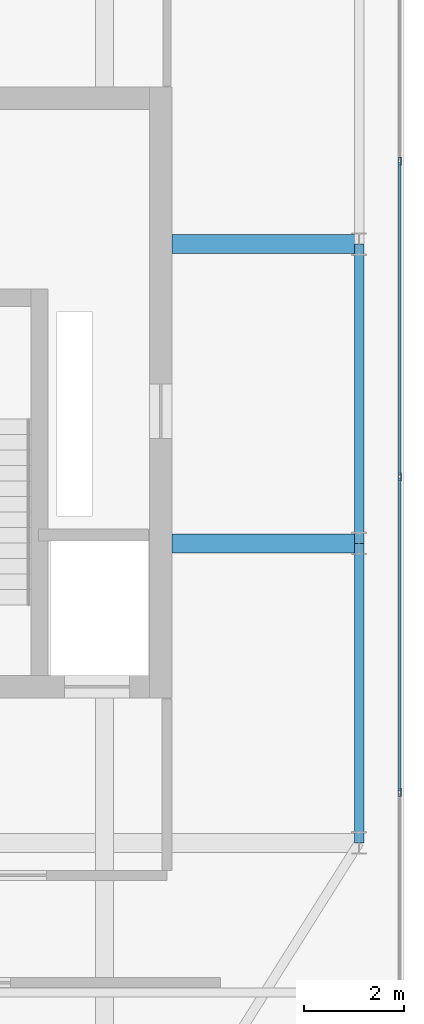
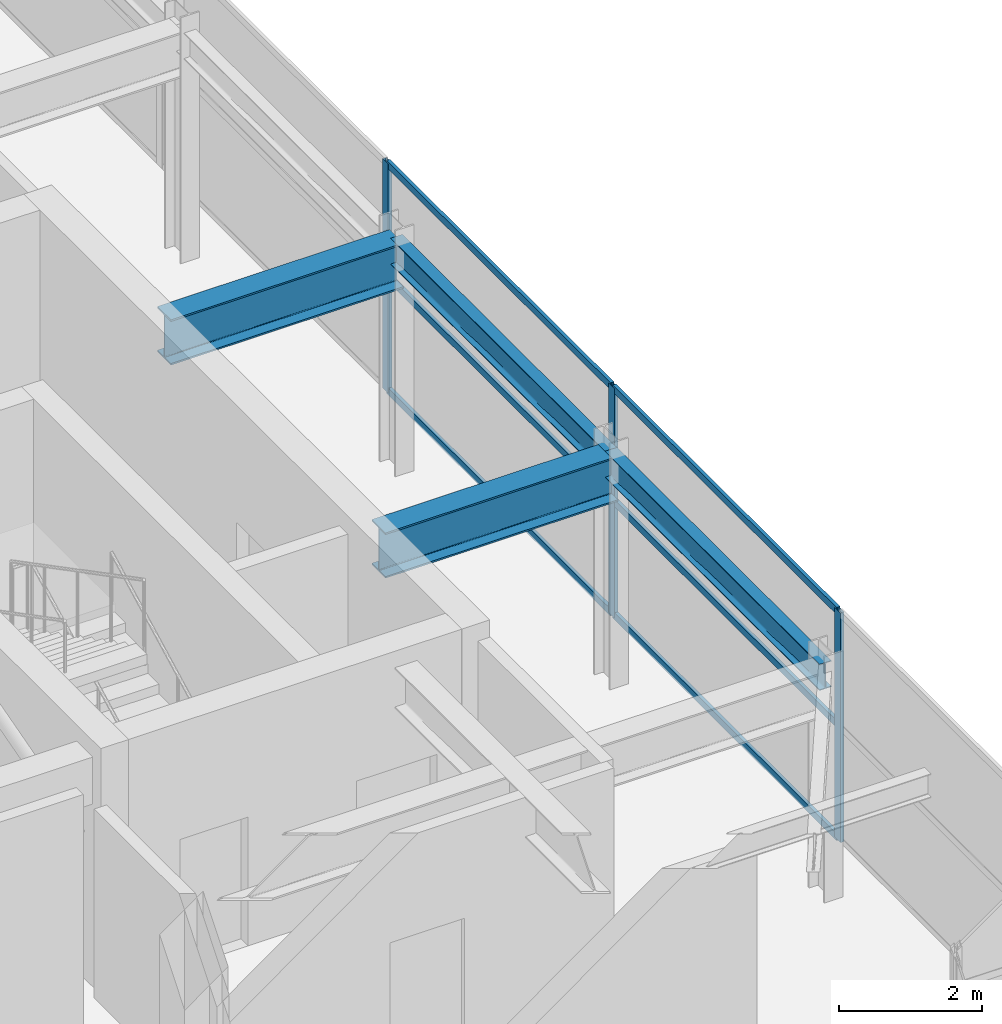
# One storey, part 17 of 32: 9 members, 4 beams, 1 element without a shape of its own.
"""IFC4 building model written with IfcOpenShell, lengths in metres."""

from ifc_helpers import new_model, si_unit, direction, frame, origin, origin_2d, place, context, subcontext, project, spatial, hollow_rectangle, i_section, extrude, source, transform, mapped, material, layer, layer_set, material_profile, profile_set, type_object, element, aggregate, save


model = new_model("IFC4")

# Units and contexts
model_context = context("Model", 3, precision=1e-05, world=origin(), true_north=direction((0.0, 1.0)))
body_context = subcontext(model_context, "Body", "Model", "MODEL_VIEW")
ifc_project = project(units=[si_unit("LENGTHUNIT", "METRE"), si_unit("AREAUNIT", "SQUARE_METRE"), si_unit("VOLUMEUNIT", "CUBIC_METRE"), si_unit("PLANEANGLEUNIT", "RADIAN"), si_unit("MASSUNIT", "GRAM", prefix="KILO")], contexts=[model_context])

# Site, building, storey
site_placement = place(None, origin())
site = spatial("IfcSite", under=ifc_project, at=site_placement, CompositionType="ELEMENT")
building_placement = place(site_placement, origin())
building = spatial("IfcBuilding", under=site, at=building_placement, Name="Khoralis Quay Care Tower", CompositionType="ELEMENT")
storey_placement = place(building_placement, frame((0.0, 0.0, 306.300048828125)))
storey = spatial("IfcBuildingStorey", under=building, at=storey_placement, Name="L80", CompositionType="ELEMENT", Elevation=306.300048828125)

# Beams
ifc_material_1 = material(Name="Steel S355", Category="steel")
ifc_material_profile_1 = material_profile(ifc_material_1, i_section(OverallWidth=0.18994140625, OverallDepth=0.449951171875, WebThickness=0.009521484375, FlangeThickness=0.0146484375, FilletRadius=0.02099609375, at=origin_2d()), Name="Steel S355")
ifc_profile_set_1 = profile_set([ifc_material_profile_1], Name="Steel S355")
beam_type_1 = type_object("IfcBeamType", Name="BM-IPE450", PredefinedType="SPANDREL", material=ifc_profile_set_1)
shared_shape_1 = source(origin(), body_context, "Body", "SweptSolid", [
    extrude(i_section(OverallWidth=0.18994140625, OverallDepth=0.449951171875, WebThickness=0.009521484375, FlangeThickness=0.0146484375, FilletRadius=0.02099609375, at=origin_2d()), origin(), (0.0, 0.0, 1.0), 6.0),
])
for number, where, z_axis, x_axis, name in (
    (1, (41.10009765625, 12.0, 3.695068359375), (0.0, 1.0, 0.0), (-1.0, 0.0, 0.0), "BM-TSP-L80-13"),
    (2, (41.10009765625, 18.0, 3.695068359375), (0.0, 1.0, 0.0), (-1.0, 0.0, 0.0), "BM-TSP-L80-14"),
):
    element("IfcBeam", number, at=place(storey_placement, frame(where, z_axis=z_axis, x_axis=x_axis)), inside=storey, type_object=beam_type_1, Name=name, PredefinedType="SPANDREL", context=body_context, shape_type="MappedRepresentation", body=[
        mapped(shared_shape_1, transform((0.0, 0.0, 0.0), scale=1.0)),
    ])
ifc_material_profile_2 = material_profile(ifc_material_1, i_section(OverallWidth=0.381103515625, OverallDepth=0.77294921875, WebThickness=0.0166015625, FlangeThickness=0.027587890625, FilletRadius=0.02197265625, at=origin_2d()), Name="Steel S355")
ifc_profile_set_2 = profile_set([ifc_material_profile_2], Name="Steel S355")
beam_type_2 = type_object("IfcBeamType", Name="BM-W760X257", PredefinedType="BEAM", material=ifc_profile_set_2)
shared_shape_2 = source(origin(), body_context, "Body", "SweptSolid", [
    extrude(i_section(OverallWidth=0.381103515625, OverallDepth=0.77294921875, WebThickness=0.0166015625, FlangeThickness=0.027587890625, FilletRadius=0.02197265625, at=origin_2d()), origin(), (0.0, 0.0, 1.0), 3.752197265625),
])
for number, where, z_axis, x_axis, name in (
    (3, (37.347900390625, 18.0, 3.533447265625), (1.0, 0.0, 0.0), (0.0, 1.0, 0.0), "BM-TGXE-L80-180"),
    (4, (37.347900390625, 24.0, 3.533447265625), (1.0, 0.0, 0.0), (0.0, 1.0, 0.0), "BM-TGXE-L80-240"),
):
    element("IfcBeam", number, at=place(storey_placement, frame(where, z_axis=z_axis, x_axis=x_axis)), inside=storey, type_object=beam_type_2, Name=name, PredefinedType="BEAM", context=body_context, shape_type="MappedRepresentation", body=[
        mapped(shared_shape_2, transform((0.0, 0.0, 0.0), scale=1.0)),
    ])

# Curtain wall, members
ifc_material_2 = material(Name="Pale anodised aluminium", Category="aluminium")
ifc_layer = layer(ifc_material_2, 0.199951171875)
ifc_layer_set = layer_set([ifc_layer], Name="Pale anodised aluminium")
curtain_wall_type = type_object("IfcCurtainWallType", Name="CW-SYS-LANTERN", PredefinedType="NOTDEFINED", material=ifc_layer_set)
curtain_wall_placement = place(storey_placement, origin())
curtain_wall = element("IfcCurtainWall", 5, at=curtain_wall_placement, inside=storey, type_object=curtain_wall_type, Name="L80 Unitised Curtain Wall CW-LN-L80-06", PredefinedType="NOTDEFINED")
ifc_material_profile_3 = material_profile(ifc_material_2, hollow_rectangle(XDim=0.054931640625, YDim=0.1201171875, WallThickness=0.00390625, at=origin_2d()), Name="Pale anodised aluminium")
ifc_profile_set_3 = profile_set([ifc_material_profile_3], Name="Pale anodised aluminium")
member_type_1 = type_object("IfcMemberType", Name="CW-TRN-120", PredefinedType="USERDEFINED", material=ifc_profile_set_3)
shared_shape_3 = source(origin(), body_context, "Body", "SweptSolid", [
    extrude(hollow_rectangle(XDim=0.054931640625, YDim=0.1201171875, WallThickness=0.00390625, at=origin_2d()), origin(), (0.0, 0.0, 1.0), 6.26416015625),
])
member_1_placement = place(storey_placement, frame((41.909912109375, 13.0439453125, 0.030029296875), z_axis=(0.0, 1.0, 0.0), x_axis=(-1.0, 0.0, 0.0)))
member_1 = element("IfcMember", 6, at=member_1_placement, type_object=member_type_1, Name="CW5 transom 2.1", ObjectType="TRANSOM", PredefinedType="USERDEFINED", context=body_context, shape_type="MappedRepresentation", body=[
    mapped(shared_shape_3, transform((0.0, 0.0, 0.0), scale=1.0)),
])
member_2_placement = place(storey_placement, frame((41.909912109375, 13.0439453125, 1.9599609375), z_axis=(0.0, 1.0, 0.0), x_axis=(-1.0, 0.0, 0.0)))
member_2 = element("IfcMember", 7, at=member_2_placement, type_object=member_type_1, Name="CW5 transom 2.2", ObjectType="TRANSOM", PredefinedType="USERDEFINED", context=body_context, shape_type="MappedRepresentation", body=[
    mapped(shared_shape_3, transform((0.0, 0.0, 0.0), scale=1.0)),
])
member_3_placement = place(storey_placement, frame((41.909912109375, 13.0439453125, 3.889892578125), z_axis=(0.0, 1.0, 0.0), x_axis=(-1.0, 0.0, 0.0)))
member_3 = element("IfcMember", 8, at=member_3_placement, type_object=member_type_1, Name="CW5 transom 2.3", ObjectType="TRANSOM", PredefinedType="USERDEFINED", context=body_context, shape_type="MappedRepresentation", body=[
    mapped(shared_shape_3, transform((0.0, 0.0, 0.0), scale=1.0)),
])
member_4_placement = place(storey_placement, frame((41.909912109375, 19.367919921875, 0.030029296875), z_axis=(0.0, 1.0, 0.0), x_axis=(-1.0, 0.0, 0.0)))
member_4 = element("IfcMember", 9, at=member_4_placement, type_object=member_type_1, Name="CW5 transom 3.1", ObjectType="TRANSOM", PredefinedType="USERDEFINED", context=body_context, shape_type="MappedRepresentation", body=[
    mapped(shared_shape_3, transform((0.0, 0.0, 0.0), scale=1.0)),
])
member_5_placement = place(storey_placement, frame((41.909912109375, 19.367919921875, 1.9599609375), z_axis=(0.0, 1.0, 0.0), x_axis=(-1.0, 0.0, 0.0)))
member_5 = element("IfcMember", 10, at=member_5_placement, type_object=member_type_1, Name="CW5 transom 3.2", ObjectType="TRANSOM", PredefinedType="USERDEFINED", context=body_context, shape_type="MappedRepresentation", body=[
    mapped(shared_shape_3, transform((0.0, 0.0, 0.0), scale=1.0)),
])
member_6_placement = place(storey_placement, frame((41.909912109375, 19.367919921875, 3.889892578125), z_axis=(0.0, 1.0, 0.0), x_axis=(-1.0, 0.0, 0.0)))
member_6 = element("IfcMember", 11, at=member_6_placement, type_object=member_type_1, Name="CW5 transom 3.3", ObjectType="TRANSOM", PredefinedType="USERDEFINED", context=body_context, shape_type="MappedRepresentation", body=[
    mapped(shared_shape_3, transform((0.0, 0.0, 0.0), scale=1.0)),
])
ifc_material_profile_4 = material_profile(ifc_material_2, hollow_rectangle(XDim=0.06005859375, YDim=0.159912109375, WallThickness=0.00390625, at=origin_2d()), Name="Pale anodised aluminium")
ifc_profile_set_4 = profile_set([ifc_material_profile_4], Name="Pale anodised aluminium")
member_type_2 = type_object("IfcMemberType", Name="CW-MUL-160", PredefinedType="MULLION", material=ifc_profile_set_4)
shared_shape_4 = source(origin(), body_context, "Body", "SweptSolid", [
    extrude(hollow_rectangle(XDim=0.06005859375, YDim=0.159912109375, WallThickness=0.00390625, at=origin_2d()), origin(), (0.0, 0.0, 1.0), 3.919921875),
])
member_7_placement = place(storey_placement, frame((41.909912109375, 13.013916015625, 0.0), z_axis=(0.0, 0.0, 1.0), x_axis=(-1.0, 0.0, 0.0)))
member_7 = element("IfcMember", 12, at=member_7_placement, type_object=member_type_2, Name="CW5 mullion 2", PredefinedType="MULLION", context=body_context, shape_type="MappedRepresentation", body=[
    mapped(shared_shape_4, transform((0.0, 0.0, 0.0), scale=1.0)),
])
member_8_placement = place(storey_placement, frame((41.909912109375, 19.337890625, 0.0), z_axis=(0.0, 0.0, 1.0), x_axis=(-1.0, 0.0, 0.0)))
member_8 = element("IfcMember", 13, at=member_8_placement, type_object=member_type_2, Name="CW5 mullion 3", PredefinedType="MULLION", context=body_context, shape_type="MappedRepresentation", body=[
    mapped(shared_shape_4, transform((0.0, 0.0, 0.0), scale=1.0)),
])
member_9_placement = place(storey_placement, frame((41.909912109375, 25.662109375, 0.0), z_axis=(0.0, 0.0, 1.0), x_axis=(-1.0, 0.0, 0.0)))
member_9 = element("IfcMember", 14, at=member_9_placement, type_object=member_type_2, Name="CW5 mullion 4", PredefinedType="MULLION", context=body_context, shape_type="MappedRepresentation", body=[
    mapped(shared_shape_4, transform((0.0, 0.0, 0.0), scale=1.0)),
])
aggregate(curtain_wall, [member_7, member_8, member_9, member_1, member_2, member_3, member_4, member_5, member_6])

save(model, "model.ifc")
